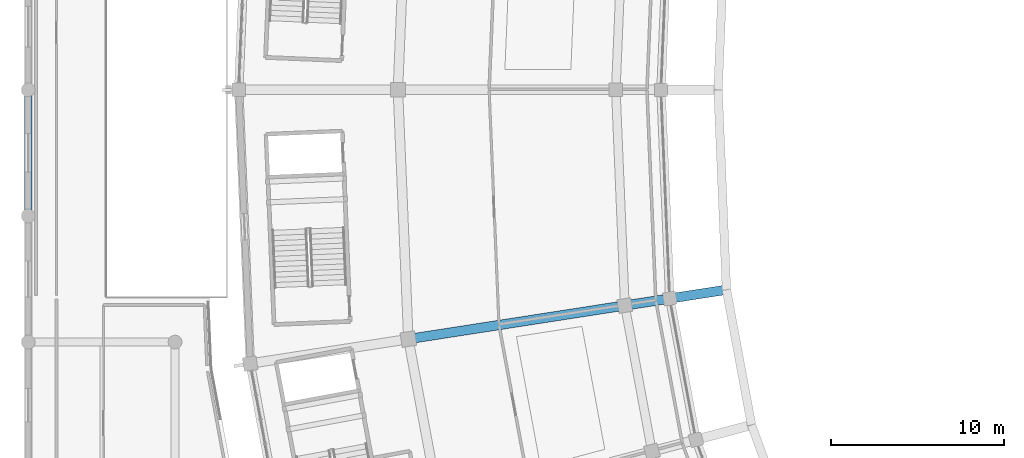
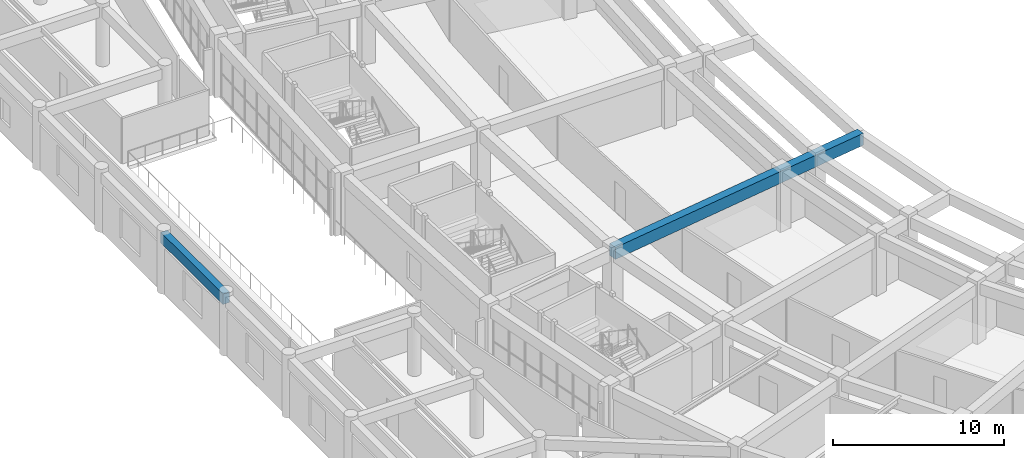
# One storey, part 26 of 145: 2 beams.
"""IFC4 building model written with IfcOpenShell, lengths in metres."""

from ifc_helpers import new_model, si_unit, direction, frame, origin, origin_2d, place, context, subcontext, project, spatial, rectangle, extrude, material, material_profile, profile_set, type_object, element, save


model = new_model("IFC4")

# Units and contexts
model_context = context("Model", 3, precision=1e-05, world=origin(), true_north=direction((0.0, 1.0)))
body_context = subcontext(model_context, "Body", "Model", "MODEL_VIEW")
ifc_project = project(units=[si_unit("LENGTHUNIT", "METRE"), si_unit("AREAUNIT", "SQUARE_METRE"), si_unit("VOLUMEUNIT", "CUBIC_METRE"), si_unit("PLANEANGLEUNIT", "RADIAN"), si_unit("MASSUNIT", "GRAM", prefix="KILO")], contexts=[model_context])

# Site, building, storey
site_placement = place(None, origin())
site = spatial("IfcSite", under=ifc_project, at=site_placement, CompositionType="ELEMENT")
building_placement = place(site_placement, origin())
building = spatial("IfcBuilding", under=site, at=building_placement, Name="Mphavela Belvedere Stadium", CompositionType="ELEMENT")
storey_placement = place(building_placement, frame((0.0, 0.0, 10.199951171875)))
storey = spatial("IfcBuildingStorey", under=building, at=storey_placement, Name="L02", CompositionType="ELEMENT", Elevation=10.199951171875)

# Beams
ifc_material_1 = material(Name="Concrete C40/50", Category="concrete")
ifc_material_profile_1 = material_profile(ifc_material_1, rectangle(XDim=0.449951171875, YDim=0.75, at=origin_2d()), Name="RC 450x750")
ifc_profile_set_1 = profile_set([ifc_material_profile_1], Name="Concrete C40/50")
beam_type_1 = type_object("IfcBeamType", Name="BM-RC450x750", PredefinedType="BEAM", material=ifc_profile_set_1)
beam_1_placement = place(storey_placement, frame((0.0, 79.699951171875, 3.864990234375), z_axis=(0.0, 1.0, 0.0), x_axis=(-1.0, 0.0, 0.0)))
element("IfcBeam", 1, at=beam_1_placement, inside=storey, type_object=beam_type_1, Name="West Planted Eaves Peristyle Colonnade entablature beam Y L02 1-5", PredefinedType="BEAM", context=body_context, shape_type="SweptSolid", body=[
    extrude(rectangle(XDim=0.449951171875, YDim=0.75, at=origin_2d()), origin(), (0.0, 0.0, 1.0), 7.300048828125),
])
ifc_material_2 = material(Name="Concrete C40/50", Category="concrete")
ifc_material_profile_2 = material_profile(ifc_material_2, rectangle(XDim=0.550048828125, YDim=0.85009765625, at=origin_2d()), Name="RC 550x850")
ifc_profile_set_2 = profile_set([ifc_material_profile_2], Name="Concrete C40/50")
beam_type_2 = type_object("IfcBeamType", Name="BM-RC550x850", PredefinedType="BEAM", material=ifc_profile_set_2)
beam_2_placement = place(storey_placement, frame((40.4072265625, 75.43017578125, 3.824951171875), z_axis=(-0.98818458407, -0.153268482759, 0.0), x_axis=(0.153268482759, -0.98818458407, 0.0)))
element("IfcBeam", 2, at=beam_2_placement, inside=storey, type_object=beam_type_2, Name="Upper tier box-front outrigger girder 26", PredefinedType="BEAM", context=body_context, shape_type="SweptSolid", body=[
    extrude(rectangle(XDim=0.550048828125, YDim=0.85009765625, at=origin_2d()), origin(), (0.0, 0.0, 1.0), 18.627197265625),
])

save(model, "model.ifc")
